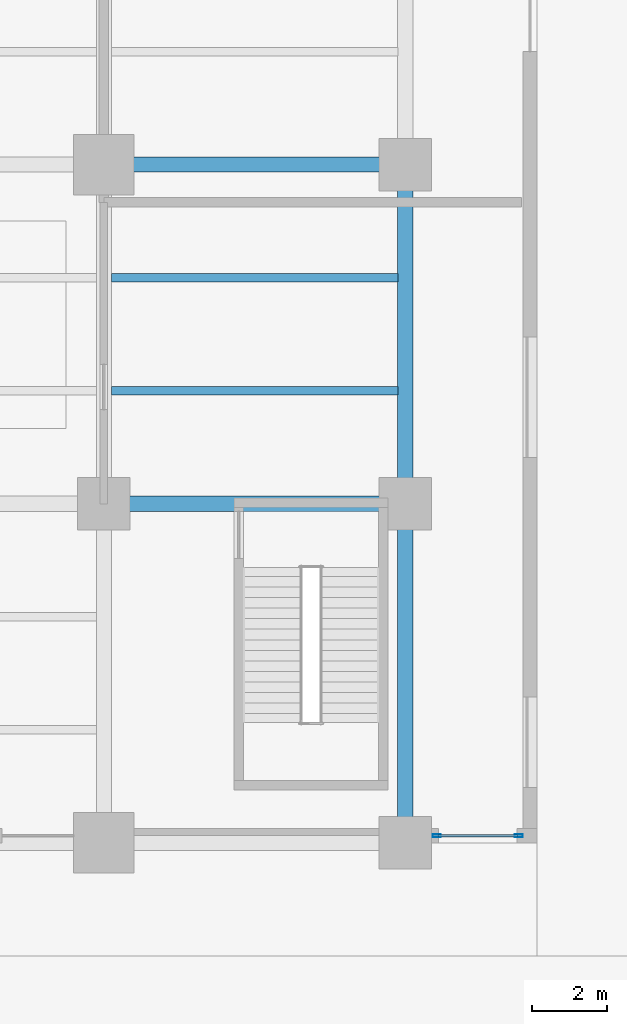
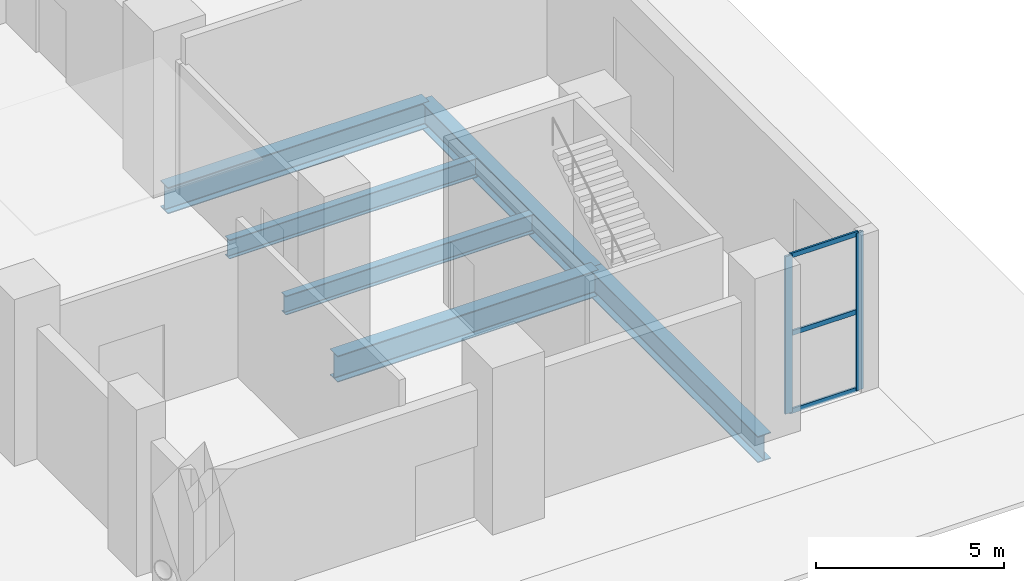
# One storey, part 8 of 17: 6 beams, 5 members, 1 element without a shape of its own.
"""IFC4 building model written with IfcOpenShell, lengths in metres."""

from ifc_helpers import new_model, si_unit, direction, frame, origin, origin_2d, place, context, subcontext, project, spatial, hollow_rectangle, i_section, extrude, material, layer, layer_set, material_profile, profile_set, type_object, element, aggregate, save


model = new_model("IFC4")

# Units and contexts
model_context = context("Model", 3, precision=1e-05, world=origin(), true_north=direction((0.0, 1.0)))
body_context = subcontext(model_context, "Body", "Model", "MODEL_VIEW")
ifc_project = project(units=[si_unit("LENGTHUNIT", "METRE"), si_unit("AREAUNIT", "SQUARE_METRE"), si_unit("VOLUMEUNIT", "CUBIC_METRE"), si_unit("PLANEANGLEUNIT", "RADIAN"), si_unit("MASSUNIT", "GRAM", prefix="KILO")], contexts=[model_context])

# Site, building, storey
site_placement = place(None, origin())
site = spatial("IfcSite", under=ifc_project, at=site_placement, CompositionType="ELEMENT")
building_placement = place(site_placement, origin())
building = spatial("IfcBuilding", under=site, at=building_placement, Name="Mawjdan Bourse Tower", CompositionType="ELEMENT")
storey_placement = place(building_placement, origin())
storey = spatial("IfcBuildingStorey", under=building, at=storey_placement, Name="L00", CompositionType="ELEMENT", Elevation=0.0)

# Beams
ifc_material_1 = material(Name="Structural Steel S355", Category="steel")
ifc_material_profile_1 = material_profile(ifc_material_1, i_section(OverallWidth=0.39892578125, OverallDepth=0.85595703125, WebThickness=0.018310546875, FlangeThickness=0.029296875, FilletRadius=0.0234375, at=origin_2d()), Name="W33X201")
ifc_profile_set_1 = profile_set([ifc_material_profile_1], Name="Structural Steel S355")
beam_type_1 = type_object("IfcBeamType", Name="GRD-W33X201", PredefinedType="BEAM", material=ifc_profile_set_1)
for number, where, z_axis, x_axis, name in (
    (1, (68.5, 3.0, -0.72802734375), (0.0, 1.0, 0.0), (-1.0, 0.0, 0.0), "L00 Podium Primary Girder 039"),
    (2, (68.5, 12.0, -0.72802734375), (0.0, 1.0, 0.0), (-1.0, 0.0, 0.0), "L00 Podium Primary Girder 040"),
):
    element("IfcBeam", number, at=place(storey_placement, frame(where, z_axis=z_axis, x_axis=x_axis)), inside=storey, type_object=beam_type_1, Name=name, PredefinedType="BEAM", context=body_context, shape_type="SweptSolid", body=[
        extrude(i_section(OverallWidth=0.39892578125, OverallDepth=0.85595703125, WebThickness=0.018310546875, FlangeThickness=0.029296875, FilletRadius=0.0234375, at=origin_2d()), origin(), (0.0, 0.0, 1.0), 9.0),
    ])
for number, where, z_axis, x_axis, name in (
    (3, (60.5, 12.0, -0.72802734375), (1.0, 0.0, 0.0), (0.0, 1.0, 0.0), "L00 Podium Tie Girder 051"),
    (4, (60.5, 21.0, -0.72802734375), (1.0, 0.0, 0.0), (0.0, 1.0, 0.0), "L00 Podium Tie Girder 055"),
):
    element("IfcBeam", number, at=place(storey_placement, frame(where, z_axis=z_axis, x_axis=x_axis)), inside=storey, type_object=beam_type_1, Name=name, PredefinedType="BEAM", context=body_context, shape_type="SweptSolid", body=[
        extrude(i_section(OverallWidth=0.39892578125, OverallDepth=0.85595703125, WebThickness=0.018310546875, FlangeThickness=0.029296875, FilletRadius=0.0234375, at=origin_2d()), origin(), (0.0, 0.0, 1.0), 8.0),
    ])
ifc_material_profile_2 = material_profile(ifc_material_1, i_section(OverallWidth=0.22998046875, OverallDepth=0.616943359375, WebThickness=0.01318359375, FlangeThickness=0.022216796875, FilletRadius=0.017822265625, at=origin_2d()), Name="W24X94")
ifc_profile_set_2 = profile_set([ifc_material_profile_2], Name="Structural Steel S355")
beam_type_2 = type_object("IfcBeamType", Name="JST-W24X94", PredefinedType="JOIST", material=ifc_profile_set_2)
for number, where, z_axis, x_axis, name in (
    (5, (60.697509765625, 15.0, -0.6083984375), (1.0, 0.0, 0.0), (0.0, 1.0, 0.0), "L00 Composite Floor Joist 088"),
    (6, (60.697509765625, 18.0, -0.6083984375), (1.0, 0.0, 0.0), (0.0, 1.0, 0.0), "L00 Composite Floor Joist 092"),
):
    element("IfcBeam", number, at=place(storey_placement, frame(where, z_axis=z_axis, x_axis=x_axis)), inside=storey, type_object=beam_type_2, Name=name, PredefinedType="JOIST", context=body_context, shape_type="SweptSolid", body=[
        extrude(i_section(OverallWidth=0.22998046875, OverallDepth=0.616943359375, WebThickness=0.01318359375, FlangeThickness=0.022216796875, FilletRadius=0.017822265625, at=origin_2d()), origin(), (0.0, 0.0, 1.0), 7.60498046875),
    ])

# Curtain wall, members
ifc_material_2 = material(Name="Thermally Broken Aluminium and Solar Glass", Category="aluminium")
ifc_layer = layer(ifc_material_2, 0.219970703125)
ifc_layer_set = layer_set([ifc_layer], Name="Thermally Broken Aluminium and Solar Glass")
curtain_wall_type = type_object("IfcCurtainWallType", Name="CW-ENT", PredefinedType="USERDEFINED", material=ifc_layer_set)
curtain_wall_placement = place(storey_placement, origin())
curtain_wall = element("IfcCurtainWall", 7, at=curtain_wall_placement, inside=storey, type_object=curtain_wall_type, Name="L00 South-East Clearing Foyer Curtain Wall", ObjectType="FOYER ENTRANCE CURTAIN WALL", PredefinedType="USERDEFINED")
ifc_material_3 = material(Name="Thermally Broken Anodised Aluminium", Category="aluminium")
ifc_material_profile_3 = material_profile(ifc_material_3, hollow_rectangle(XDim=0.074951171875, YDim=0.219970703125, WallThickness=0.0048828125, at=origin_2d()), Name="ALU-MUL-220X75")
ifc_profile_set_3 = profile_set([ifc_material_profile_3], Name="Thermally Broken Anodised Aluminium")
member_type_1 = type_object("IfcMemberType", Name="MUL-ALU-MUL-220X75", PredefinedType="MULLION", material=ifc_profile_set_3)
member_1_placement = place(storey_placement, frame((69.33740234375, 3.18994140625, 0.0), z_axis=(0.0, 0.0, 1.0), x_axis=(0.0, 1.0, 0.0)))
member_1 = element("IfcMember", 8, at=member_1_placement, type_object=member_type_1, Name="CW-ENT-L00-ENT-SE mullion 1", PredefinedType="MULLION", context=body_context, shape_type="SweptSolid", body=[
    extrude(hollow_rectangle(XDim=0.074951171875, YDim=0.219970703125, WallThickness=0.0048828125, at=origin_2d()), origin(), (0.0, 0.0, 1.0), 5.10009765625),
])
member_2_placement = place(storey_placement, frame((71.512451171875, 3.18994140625, 0.0), z_axis=(0.0, 0.0, 1.0), x_axis=(0.0, 1.0, 0.0)))
member_2 = element("IfcMember", 9, at=member_2_placement, type_object=member_type_1, Name="CW-ENT-L00-ENT-SE mullion 2", PredefinedType="MULLION", context=body_context, shape_type="SweptSolid", body=[
    extrude(hollow_rectangle(XDim=0.074951171875, YDim=0.219970703125, WallThickness=0.0048828125, at=origin_2d()), origin(), (0.0, 0.0, 1.0), 5.10009765625),
])
ifc_material_profile_4 = material_profile(ifc_material_3, hollow_rectangle(XDim=0.06005859375, YDim=0.155029296875, WallThickness=0.00390625, at=origin_2d()), Name="ALU-TRN-155X60")
ifc_profile_set_4 = profile_set([ifc_material_profile_4], Name="Thermally Broken Anodised Aluminium")
member_type_2 = type_object("IfcMemberType", Name="TRN-ALU-TRN-155X60", PredefinedType="USERDEFINED", material=ifc_profile_set_4)
member_3_placement = place(storey_placement, frame((69.375, 3.18994140625, 0.030029296875), z_axis=(1.0, 0.0, 0.0), x_axis=(0.0, 1.0, 0.0)))
member_3 = element("IfcMember", 10, at=member_3_placement, type_object=member_type_2, Name="CW-ENT-L00-ENT-SE transom 1.1", ObjectType="TRANSOM", PredefinedType="USERDEFINED", context=body_context, shape_type="SweptSolid", body=[
    extrude(hollow_rectangle(XDim=0.06005859375, YDim=0.155029296875, WallThickness=0.00390625, at=origin_2d()), origin(), (0.0, 0.0, 1.0), 2.10009765625),
])
member_4_placement = place(storey_placement, frame((69.375, 3.18994140625, 2.550048828125), z_axis=(1.0, 0.0, 0.0), x_axis=(0.0, 1.0, 0.0)))
member_4 = element("IfcMember", 11, at=member_4_placement, type_object=member_type_2, Name="CW-ENT-L00-ENT-SE transom 1.2", ObjectType="TRANSOM", PredefinedType="USERDEFINED", context=body_context, shape_type="SweptSolid", body=[
    extrude(hollow_rectangle(XDim=0.06005859375, YDim=0.155029296875, WallThickness=0.00390625, at=origin_2d()), origin(), (0.0, 0.0, 1.0), 2.10009765625),
])
member_5_placement = place(storey_placement, frame((69.375, 3.18994140625, 5.070068359375), z_axis=(1.0, 0.0, 0.0), x_axis=(0.0, 1.0, 0.0)))
member_5 = element("IfcMember", 12, at=member_5_placement, type_object=member_type_2, Name="CW-ENT-L00-ENT-SE transom 1.3", ObjectType="TRANSOM", PredefinedType="USERDEFINED", context=body_context, shape_type="SweptSolid", body=[
    extrude(hollow_rectangle(XDim=0.06005859375, YDim=0.155029296875, WallThickness=0.00390625, at=origin_2d()), origin(), (0.0, 0.0, 1.0), 2.10009765625),
])
aggregate(curtain_wall, [member_1, member_2, member_3, member_4, member_5])

save(model, "model.ifc")
